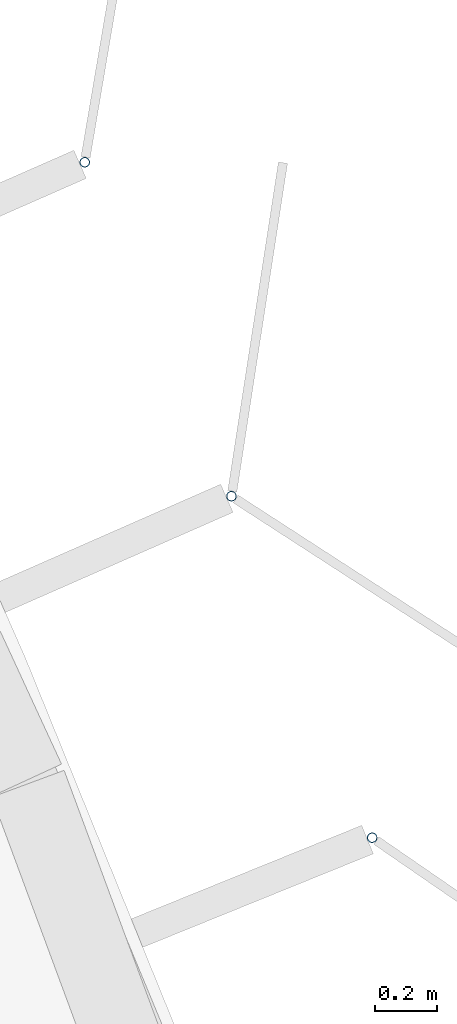
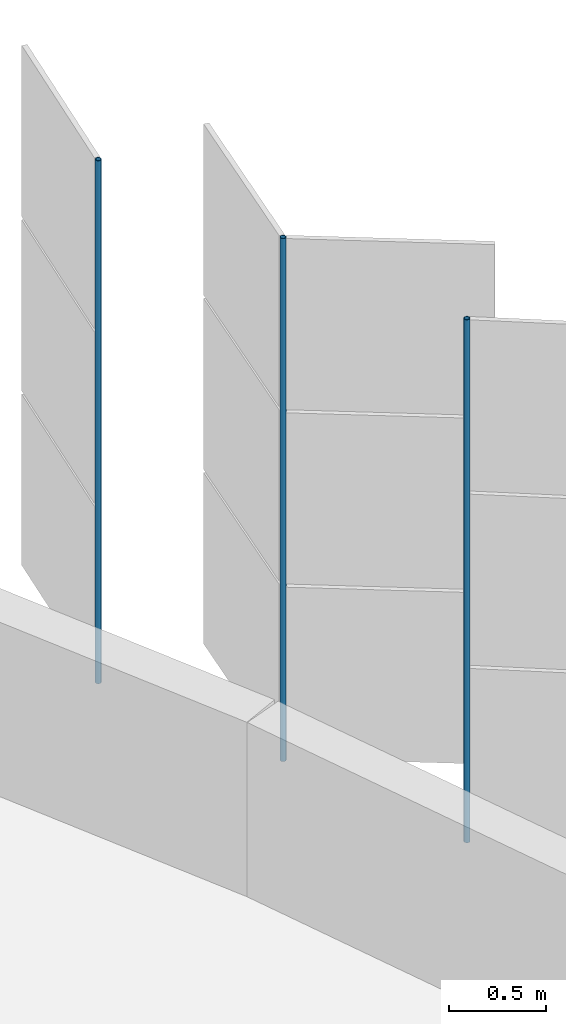
# One storey, part 125 of 199: 3 discrete accessories.
"""IFC4 building model written with IfcOpenShell, lengths in metres."""

from ifc_helpers import new_model, si_unit, direction, frame, origin, origin_2d, place, context, subcontext, project, spatial, hollow_circle, extrude, material, material_profile, profile_set, type_object, element, save


model = new_model("IFC4")

# Units and contexts
model_context = context("Model", 3, precision=1e-05, world=origin(), true_north=direction((0.0, 1.0)))
body_context = subcontext(model_context, "Body", "Model", "MODEL_VIEW")
ifc_project = project(units=[si_unit("LENGTHUNIT", "METRE"), si_unit("AREAUNIT", "SQUARE_METRE"), si_unit("VOLUMEUNIT", "CUBIC_METRE"), si_unit("PLANEANGLEUNIT", "RADIAN"), si_unit("MASSUNIT", "GRAM", prefix="KILO")], contexts=[model_context])

# Site, building, storey
site_placement = place(None, origin())
site = spatial("IfcSite", under=ifc_project, at=site_placement, CompositionType="ELEMENT")
building_placement = place(site_placement, origin())
building = spatial("IfcBuilding", under=site, at=building_placement, Name="Parallax Yard Mobility Hub", CompositionType="ELEMENT")
storey_placement = place(building_placement, frame((0.0, 0.0, 9.89990234375)))
storey = spatial("IfcBuildingStorey", under=building, at=storey_placement, Name="L03", CompositionType="ELEMENT", Elevation=9.89990234375)

# Discrete accessories
ifc_material = material(Name="Steel ASTM A500 Gr C, hot-dip galvanised", Category="steel")
ifc_material_profile = material_profile(ifc_material, hollow_circle(Radius=0.016845703125, WallThickness=0.003173828125, at=origin_2d()), Name="CHS 33.7x3.2")
ifc_profile_set = profile_set([ifc_material_profile], Name="Steel ASTM A500 Gr C, hot-dip galvanised")
discrete_accessory_type = type_object("IfcDiscreteAccessoryType", Name="Hinge post CHS 33.7x3.2", PredefinedType="BRACKET", material=ifc_profile_set)
for number, where, z_axis, x_axis, name in (
    (1, (221.985107421875, 109.8525390625, 0.0), (0.0, 0.0, 1.0), (1.0, 0.0, 0.0), "Hinge post bay 43.4 level L03"),
    (2, (221.528076171875, 110.961669921875, 0.0), (0.0, 0.0, 1.0), (1.0, 0.0, 0.0), "Hinge post bay 43.5 level L03"),
    (3, (221.051513671875, 112.04638671875, 0.0), (0.0, 0.0, 1.0), (1.0, 0.0, 0.0), "Hinge post bay 43.6 level L03"),
):
    element("IfcDiscreteAccessory", number, at=place(storey_placement, frame(where, z_axis=z_axis, x_axis=x_axis)), inside=storey, type_object=discrete_accessory_type, Name=name, PredefinedType="BRACKET", context=body_context, shape_type="SweptSolid", body=[
        extrude(hollow_circle(Radius=0.016845703125, WallThickness=0.003173828125, at=origin_2d()), origin(), (0.0, 0.0, 1.0), 3.300048828125),
    ])

save(model, "model.ifc")
